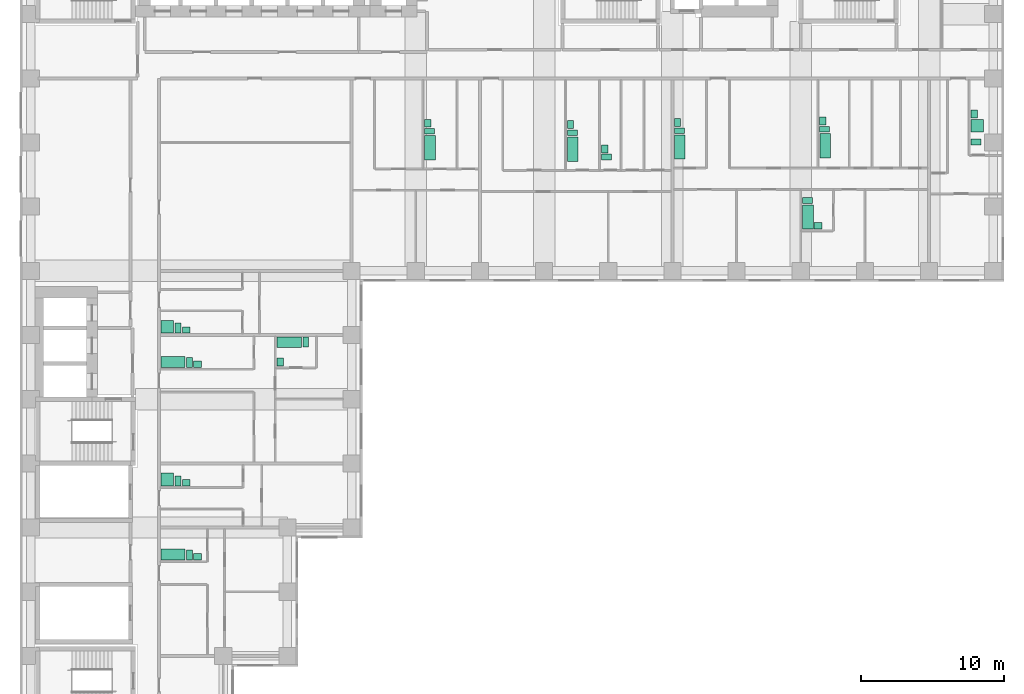
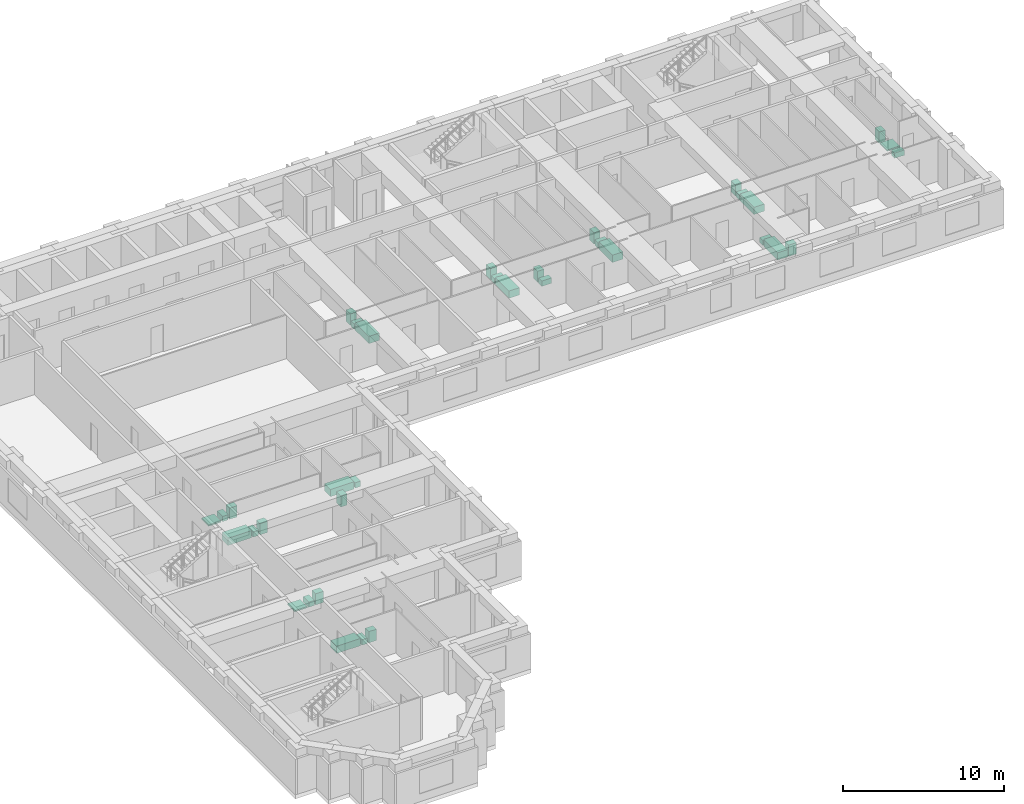
# One storey, part 11 of 11: 35 sanitary terminals.
"""IFC4 building model written with IfcOpenShell, lengths in metres."""

from ifc_helpers import new_model, si_unit, direction, frame, origin, origin_2d, place, context, subcontext, project, spatial, rectangle, extrude, material, type_object, element, save


model = new_model("IFC4")

# Units and contexts
model_context = context("Model", 3, precision=1e-05, world=origin(), true_north=direction((0.0, 1.0)))
body_context = subcontext(model_context, "Body", "Model", "MODEL_VIEW")
ifc_project = project(units=[si_unit("LENGTHUNIT", "METRE"), si_unit("AREAUNIT", "SQUARE_METRE"), si_unit("VOLUMEUNIT", "CUBIC_METRE"), si_unit("PLANEANGLEUNIT", "RADIAN"), si_unit("MASSUNIT", "GRAM", prefix="KILO")], contexts=[model_context])

# Site, building, storey
site_placement = place(None, origin())
site = spatial("IfcSite", under=ifc_project, at=site_placement, CompositionType="ELEMENT")
building_placement = place(site_placement, origin())
building = spatial("IfcBuilding", under=site, at=building_placement, Name="Firuza Court", CompositionType="ELEMENT")
storey_placement = place(building_placement, frame((0.0, 0.0, 86.60009765625)))
storey = spatial("IfcBuildingStorey", under=building, at=storey_placement, Name="L21", CompositionType="ELEMENT", Elevation=86.60009765625)

# Sanitary terminals
ifc_material_1 = material(Name="Vitreous china", Category="ceramic")
sanitary_terminal_type_1 = type_object("IfcSanitaryTerminalType", Name="Fixture Bath", PredefinedType="BATH", material=ifc_material_1)
for number, where, z_axis, x_axis, name in (
    (1, (28.0048828125, 44.6298828125, 0.0), (0.0, 0.0, 1.0), (1.0, 0.0, 0.0), "Bath"),
    (2, (38.0048828125, 44.530029296875, 0.0), (0.0, 0.0, 1.0), (1.0, 0.0, 0.0), "Bath"),
    (3, (45.5048828125, 44.679931640625, 0.0), (0.0, 0.0, 1.0), (1.0, 0.0, 0.0), "Bath"),
    (4, (55.705078125, 44.780029296875, 0.0), (0.0, 0.0, 1.0), (1.0, 0.0, 0.0), "Bath"),
    (5, (54.5048828125, 39.780029296875, 0.0), (0.0, 0.0, 1.0), (1.0, 0.0, 0.0), "Bath"),
):
    element("IfcSanitaryTerminal", number, at=place(storey_placement, frame(where, z_axis=z_axis, x_axis=x_axis)), inside=storey, type_object=sanitary_terminal_type_1, Name=name, PredefinedType="BATH", context=body_context, shape_type="SweptSolid", body=[
        extrude(rectangle(XDim=0.75, YDim=1.699951171875, at=origin_2d()), origin(), (0.0, 0.0, 1.0), 0.550048828125),
    ])
for number, where, z_axis, x_axis, name in (
    (6, (9.97998046875, 29.60498046875, 0.0), (0.0, 0.0, 1.0), (1.0, 0.0, 0.0), "Bath"),
    (7, (18.1298828125, 30.9951171875, 0.0), (0.0, 0.0, 1.0), (1.0, 0.0, 0.0), "Bath"),
    (8, (9.97998046875, 16.10498046875, 0.0), (0.0, 0.0, 1.0), (1.0, 0.0, 0.0), "Bath"),
):
    element("IfcSanitaryTerminal", number, at=place(storey_placement, frame(where, z_axis=z_axis, x_axis=x_axis)), inside=storey, type_object=sanitary_terminal_type_1, Name=name, PredefinedType="BATH", context=body_context, shape_type="SweptSolid", body=[
        extrude(rectangle(XDim=1.699951171875, YDim=0.75, at=origin_2d()), origin(), (0.0, 0.0, 1.0), 0.550048828125),
    ])
ifc_material_2 = material(Name="Vitreous china", Category="ceramic")
sanitary_terminal_type_2 = type_object("IfcSanitaryTerminalType", Name="Fixture Shower tray", PredefinedType="SHOWER", material=ifc_material_2)
for number, where, z_axis, x_axis, name in (
    (9, (66.3798828125, 46.179931640625, -0.000244140625), (0.0, 0.0, 1.0), (1.0, 0.0, 0.0), "Shower tray"),
    (10, (9.580078125, 32.080078125, -0.000244140625), (0.0, 0.0, 1.0), (1.0, 0.0, 0.0), "Shower tray"),
    (11, (9.580078125, 21.3798828125, -0.000244140625), (0.0, 0.0, 1.0), (1.0, 0.0, 0.0), "Shower tray"),
):
    element("IfcSanitaryTerminal", number, at=place(storey_placement, frame(where, z_axis=z_axis, x_axis=x_axis)), inside=storey, type_object=sanitary_terminal_type_2, Name=name, PredefinedType="SHOWER", context=body_context, shape_type="SweptSolid", body=[
        extrude(rectangle(XDim=0.89990234375, YDim=0.89990234375, at=origin_2d()), origin(), (0.0, 0.0, 1.0), 0.10009765625),
    ])
ifc_material_3 = material(Name="Vitreous china", Category="ceramic")
sanitary_terminal_type_3 = type_object("IfcSanitaryTerminalType", Name="Fixture WC pan", PredefinedType="TOILETPAN", material=ifc_material_3)
for number, where, z_axis, x_axis, name in (
    (12, (27.97998046875, 45.780029296875, 0.0), (0.0, 0.0, 1.0), (1.0, 0.0, 0.0), "WC pan"),
    (13, (37.97998046875, 45.679931640625, 0.0), (0.0, 0.0, 1.0), (1.0, 0.0, 0.0), "WC pan"),
    (14, (40.3798828125, 43.97998046875, 0.0), (0.0, 0.0, 1.0), (1.0, 0.0, 0.0), "WC pan"),
    (15, (45.47998046875, 45.830078125, 0.0), (0.0, 0.0, 1.0), (1.0, 0.0, 0.0), "WC pan"),
    (16, (55.679931640625, 45.929931640625, 0.0), (0.0, 0.0, 1.0), (1.0, 0.0, 0.0), "WC pan"),
    (17, (54.47998046875, 40.929931640625, 0.0), (0.0, 0.0, 1.0), (1.0, 0.0, 0.0), "WC pan"),
    (18, (66.280029296875, 45.030029296875, 0.0), (0.0, 0.0, 1.0), (1.0, 0.0, 0.0), "WC pan"),
):
    element("IfcSanitaryTerminal", number, at=place(storey_placement, frame(where, z_axis=z_axis, x_axis=x_axis)), inside=storey, type_object=sanitary_terminal_type_3, Name=name, PredefinedType="TOILETPAN", context=body_context, shape_type="SweptSolid", body=[
        extrude(rectangle(XDim=0.699951171875, YDim=0.39990234375, at=origin_2d()), origin(), (0.0, 0.0, 1.0), 0.39990234375),
    ])
for number, where, z_axis, x_axis, name in (
    (19, (10.330078125, 31.97998046875, 0.0), (0.0, 0.0, 1.0), (1.0, 0.0, 0.0), "WC pan"),
    (20, (11.1298828125, 29.580078125, 0.0), (0.0, 0.0, 1.0), (1.0, 0.0, 0.0), "WC pan"),
    (21, (19.280029296875, 31.02001953125, 0.0), (0.0, 0.0, 1.0), (1.0, 0.0, 0.0), "WC pan"),
    (22, (10.330078125, 21.280029296875, 0.0), (0.0, 0.0, 1.0), (1.0, 0.0, 0.0), "WC pan"),
    (23, (11.1298828125, 16.080078125, 0.0), (0.0, 0.0, 1.0), (1.0, 0.0, 0.0), "WC pan"),
):
    element("IfcSanitaryTerminal", number, at=place(storey_placement, frame(where, z_axis=z_axis, x_axis=x_axis)), inside=storey, type_object=sanitary_terminal_type_3, Name=name, PredefinedType="TOILETPAN", context=body_context, shape_type="SweptSolid", body=[
        extrude(rectangle(XDim=0.39990234375, YDim=0.699951171875, at=origin_2d()), origin(), (0.0, 0.0, 1.0), 0.39990234375),
    ])
ifc_material_4 = material(Name="Vitreous china", Category="ceramic")
sanitary_terminal_type_4 = type_object("IfcSanitaryTerminalType", Name="Fixture Washbasin", PredefinedType="WASHHANDBASIN", material=ifc_material_4)
for number, where, z_axis, x_axis, name in (
    (24, (27.85498046875, 46.35498046875, -0.000244140625), (0.0, 0.0, 1.0), (1.0, 0.0, 0.0), "Washbasin"),
    (25, (37.85498046875, 46.2548828125, -0.000244140625), (0.0, 0.0, 1.0), (1.0, 0.0, 0.0), "Washbasin"),
    (26, (40.2548828125, 44.554931640625, -0.000244140625), (0.0, 0.0, 1.0), (1.0, 0.0, 0.0), "Washbasin"),
    (27, (45.35498046875, 46.405029296875, -0.000244140625), (0.0, 0.0, 1.0), (1.0, 0.0, 0.0), "Washbasin"),
    (28, (55.554931640625, 46.5048828125, -0.000244140625), (0.0, 0.0, 1.0), (1.0, 0.0, 0.0), "Washbasin"),
):
    element("IfcSanitaryTerminal", number, at=place(storey_placement, frame(where, z_axis=z_axis, x_axis=x_axis)), inside=storey, type_object=sanitary_terminal_type_4, Name=name, PredefinedType="WASHHANDBASIN", context=body_context, shape_type="SweptSolid", body=[
        extrude(rectangle(XDim=0.449951171875, YDim=0.550048828125, at=origin_2d()), origin(), (0.0, 0.0, 1.0), 0.85009765625),
    ])
sanitary_terminal_1_placement = place(storey_placement, frame((55.205078125, 39.155029296875, -0.000244140625), z_axis=(0.0, 0.0, 1.0), x_axis=(1.0, 0.0, 0.0)))
element("IfcSanitaryTerminal", 29, at=sanitary_terminal_1_placement, inside=storey, type_object=sanitary_terminal_type_4, Name="Washbasin", PredefinedType="WASHHANDBASIN", context=body_context, shape_type="SweptSolid", body=[
    extrude(rectangle(XDim=0.550048828125, YDim=0.449951171875, at=origin_2d()), origin(), (0.0, 0.0, 1.0), 0.85009765625),
])
sanitary_terminal_2_placement = place(storey_placement, frame((66.155029296875, 47.0048828125, -0.000244140625), z_axis=(0.0, 0.0, 1.0), x_axis=(1.0, 0.0, 0.0)))
element("IfcSanitaryTerminal", 30, at=sanitary_terminal_2_placement, inside=storey, type_object=sanitary_terminal_type_4, Name="Washbasin", PredefinedType="WASHHANDBASIN", context=body_context, shape_type="SweptSolid", body=[
    extrude(rectangle(XDim=0.449951171875, YDim=0.550048828125, at=origin_2d()), origin(), (0.0, 0.0, 1.0), 0.85009765625),
])
for number, where, z_axis, x_axis, name in (
    (31, (10.905029296875, 31.85498046875, -0.000244140625), (0.0, 0.0, 1.0), (1.0, 0.0, 0.0), "Washbasin"),
    (32, (11.705078125, 29.455078125, -0.000244140625), (0.0, 0.0, 1.0), (1.0, 0.0, 0.0), "Washbasin"),
):
    element("IfcSanitaryTerminal", number, at=place(storey_placement, frame(where, z_axis=z_axis, x_axis=x_axis)), inside=storey, type_object=sanitary_terminal_type_4, Name=name, PredefinedType="WASHHANDBASIN", context=body_context, shape_type="SweptSolid", body=[
        extrude(rectangle(XDim=0.550048828125, YDim=0.449951171875, at=origin_2d()), origin(), (0.0, 0.0, 1.0), 0.85009765625),
    ])
sanitary_terminal_3_placement = place(storey_placement, frame((17.5048828125, 29.60498046875, -0.000244140625), z_axis=(0.0, 0.0, 1.0), x_axis=(1.0, 0.0, 0.0)))
element("IfcSanitaryTerminal", 33, at=sanitary_terminal_3_placement, inside=storey, type_object=sanitary_terminal_type_4, Name="Washbasin", PredefinedType="WASHHANDBASIN", context=body_context, shape_type="SweptSolid", body=[
    extrude(rectangle(XDim=0.449951171875, YDim=0.550048828125, at=origin_2d()), origin(), (0.0, 0.0, 1.0), 0.85009765625),
])
for number, where, z_axis, x_axis, name in (
    (34, (10.905029296875, 21.155029296875, -0.000244140625), (0.0, 0.0, 1.0), (1.0, 0.0, 0.0), "Washbasin"),
    (35, (11.705078125, 15.955078125, -0.000244140625), (0.0, 0.0, 1.0), (1.0, 0.0, 0.0), "Washbasin"),
):
    element("IfcSanitaryTerminal", number, at=place(storey_placement, frame(where, z_axis=z_axis, x_axis=x_axis)), inside=storey, type_object=sanitary_terminal_type_4, Name=name, PredefinedType="WASHHANDBASIN", context=body_context, shape_type="SweptSolid", body=[
        extrude(rectangle(XDim=0.550048828125, YDim=0.449951171875, at=origin_2d()), origin(), (0.0, 0.0, 1.0), 0.85009765625),
    ])

save(model, "model.ifc")
